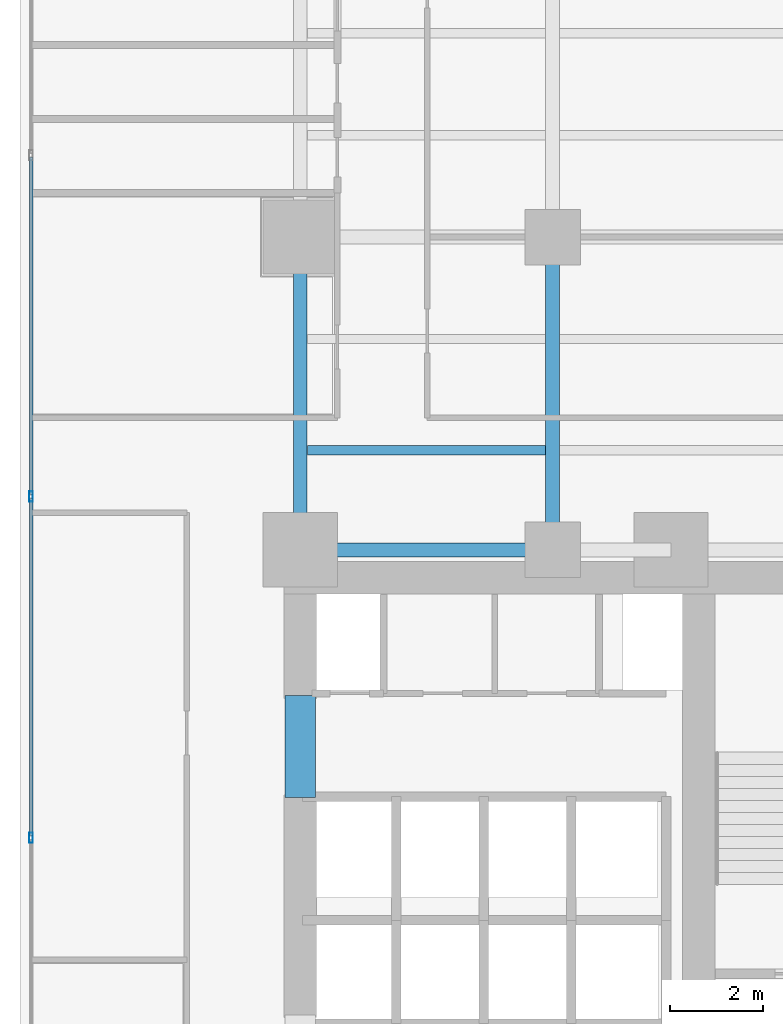
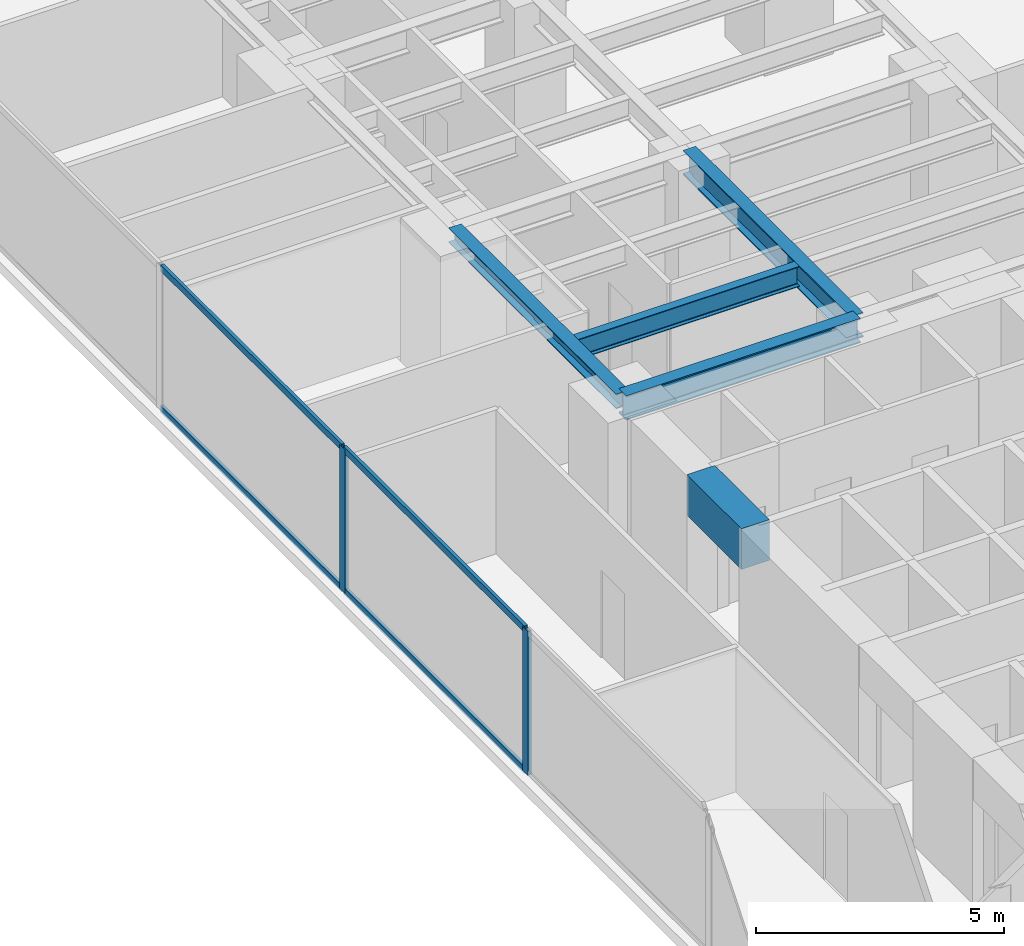
# One storey, part 6 of 31: 6 members, 5 beams, 1 element without a shape of its own.
"""IFC4 building model written with IfcOpenShell, lengths in metres."""

import ifcopenshell
import ifcopenshell.guid

model = None  # the IFC model being written
_history = None  # IfcOwnerHistory: only IFC2X3 demands one
_inside = {}  # id of a spatial element -> (the spatial element, [elements in it])
_under = {}  # id of a project, library or spatial element -> (it, [spatial elements below it])
_declared = {}  # id of a project -> (the project, [libraries it declares])
_typed = {}  # id of a type object -> (the type object, [elements of that type])
_made_of = {}  # id of a material, layer set ... -> (it, [elements and type objects made of it])


def new_model(schema):
    """Start an empty IFC model of exactly this schema.

    Asked for "IFC4X3", IfcOpenShell would pick the latest addendum, in which some entities
    have other attributes; the version numbers below select the first issue.
    IFC2X3 requires an IfcOwnerHistory on every rooted entity: one is made here for all.
    """
    global model, _history
    if schema == "IFC4X3":
        model = ifcopenshell.file(schema_version=(4, 3, 0, 0))
    else:
        model = ifcopenshell.file(schema=schema)
    _inside.clear()
    _under.clear()
    _declared.clear()
    _typed.clear()
    _made_of.clear()
    _history = None
    if model.schema == "IFC2X3":
        org = make("IfcOrganization", Name="unknown")
        user = make(
            "IfcPersonAndOrganization",
            ThePerson=make("IfcPerson", FamilyName="unknown"),
            TheOrganization=org,
        )
        app = make(
            "IfcApplication",
            ApplicationDeveloper=org,
            Version="unknown",
            ApplicationFullName="unknown",
            ApplicationIdentifier="unknown",
        )
        _history = make(
            "IfcOwnerHistory",
            OwningUser=user,
            OwningApplication=app,
            ChangeAction="ADDED",
            CreationDate=0,
        )
    return model


def make(cls, **values):
    """One entity of the class cls with the attributes given. An attribute that is None is left unset."""
    return model.create_entity(
        cls, **{name: value for name, value in values.items() if value is not None}
    )


def rooted(cls, **values):
    """An entity with a GlobalId (a new one), such as an element, a storey or a relation."""
    return make(cls, GlobalId=ifcopenshell.guid.new(), OwnerHistory=_history, **values)


def si_unit(unit_type, name, prefix=None):
    """IfcSIUnit, for example si_unit("LENGTHUNIT", "METRE", prefix="MILLI")."""
    return make("IfcSIUnit", UnitType=unit_type, Prefix=prefix, Name=name)


def assignment(units):
    """IfcUnitAssignment: the units of a project."""
    return None if units is None else make("IfcUnitAssignment", Units=units)


def point(xyz):
    """IfcCartesianPoint."""
    return None if xyz is None else make("IfcCartesianPoint", Coordinates=xyz)


def direction(xyz):
    """IfcDirection."""
    return None if xyz is None else make("IfcDirection", DirectionRatios=xyz)


def frame(location, z_axis=None, x_axis=None):
    """IfcAxis2Placement3D, a coordinate frame: its origin and axes. An axis left out is left unset."""
    return make(
        "IfcAxis2Placement3D",
        Location=point(location),
        Axis=direction(z_axis),
        RefDirection=direction(x_axis),
    )


def frame_2d(location, x_axis=None):
    """IfcAxis2Placement2D, a coordinate frame in the plane: its origin and x axis."""
    return make(
        "IfcAxis2Placement2D", Location=point(location), RefDirection=direction(x_axis)
    )


def origin():
    """The frame at (0, 0, 0) with its axes left unset."""
    return frame((0.0, 0.0, 0.0))


def origin_with_axes():
    """The frame at (0, 0, 0) with the z axis (0, 0, 1) and the x axis (1, 0, 0) written out."""
    return frame((0.0, 0.0, 0.0), z_axis=(0.0, 0.0, 1.0), x_axis=(1.0, 0.0, 0.0))


def origin_2d():
    """The frame at (0, 0) in the plane with its x axis left unset."""
    return frame_2d((0.0, 0.0))


def place(relative_to, where):
    """IfcLocalPlacement: puts the frame where relative to a parent placement (None: the world)."""
    return make(
        "IfcLocalPlacement", PlacementRelTo=relative_to, RelativePlacement=where
    )


def context(
    kind, dimensions, precision=None, world=None, true_north=None, identifier=None
):
    """IfcGeometricRepresentationContext, for example the 3D "Model" context."""
    return make(
        "IfcGeometricRepresentationContext",
        ContextIdentifier=identifier,
        ContextType=kind,
        CoordinateSpaceDimension=dimensions,
        Precision=precision,
        WorldCoordinateSystem=world,
        TrueNorth=true_north,
    )


def subcontext(parent, identifier, kind, view, scale=None):
    """IfcGeometricRepresentationSubContext, for example "Body" below "Model"."""
    return make(
        "IfcGeometricRepresentationSubContext",
        ContextIdentifier=identifier,
        ContextType=kind,
        ParentContext=parent,
        TargetScale=scale,
        TargetView=view,
    )


def project(units=None, contexts=None):
    """IfcProject with its units and contexts."""
    return rooted(
        "IfcProject",
        Name="project",
        RepresentationContexts=contexts,
        UnitsInContext=assignment(units),
    )


def spatial(cls, under=None, at=None, **own):
    """A site, building, storey or space (cls), placed at a placement, below another one or the project."""
    s = rooted(cls, ObjectPlacement=at, **own)
    if under is not None:
        _under.setdefault(under.id(), (under, []))[1].append(s)
    return s


def profile(cls, at=None, kind="AREA", **sizes):
    """A parametric profile (cls). Its sizes go by their IFC names, for example OverallWidth=200.0."""
    return make(cls, ProfileType=kind, Position=at, **sizes)


def rectangle(**sizes):
    """IfcRectangleProfileDef."""
    return profile("IfcRectangleProfileDef", **sizes)


def hollow_rectangle(**sizes):
    """IfcRectangleHollowProfileDef."""
    return profile("IfcRectangleHollowProfileDef", **sizes)


def i_section(**sizes):
    """IfcIShapeProfileDef."""
    return profile("IfcIShapeProfileDef", **sizes)


def extrude(swept, where, along, depth):
    """IfcExtrudedAreaSolid: the profile swept, set in the frame where, extruded along a direction by depth."""
    return make(
        "IfcExtrudedAreaSolid",
        SweptArea=swept,
        Position=where,
        ExtrudedDirection=direction(along),
        Depth=depth,
    )


def shape(context_of_items, identifier, shape_type, items):
    """IfcShapeRepresentation: the items that make up one representation, for example the "Body"."""
    return make(
        "IfcShapeRepresentation",
        ContextOfItems=context_of_items,
        RepresentationIdentifier=identifier,
        RepresentationType=shape_type,
        Items=items,
    )


def source(mapping_origin, context_of_items, identifier, shape_type, items):
    """IfcRepresentationMap: a shape defined once, which mapped items show again and again."""
    return make(
        "IfcRepresentationMap",
        MappingOrigin=mapping_origin,
        MappedRepresentation=shape(context_of_items, identifier, shape_type, items),
    )


def transform(
    local_origin,
    x_axis=None,
    y_axis=None,
    z_axis=None,
    scale=None,
    scale2=None,
    scale3=None,
    uniform=True,
):
    """IfcCartesianTransformationOperator3D, or its non-uniform kind. x_axis, y_axis, z_axis: its Axis1, 2, 3."""
    if uniform:
        return make(
            "IfcCartesianTransformationOperator3D",
            Axis1=direction(x_axis),
            Axis2=direction(y_axis),
            LocalOrigin=point(local_origin),
            Scale=scale,
            Axis3=direction(z_axis),
        )
    return make(
        "IfcCartesianTransformationOperator3DnonUniform",
        Axis1=direction(x_axis),
        Axis2=direction(y_axis),
        LocalOrigin=point(local_origin),
        Scale=scale,
        Axis3=direction(z_axis),
        Scale2=scale2,
        Scale3=scale3,
    )


def mapped(mapping_source, mapping_target):
    """IfcMappedItem: shows the shape of a source again, moved by a transform."""
    return make(
        "IfcMappedItem", MappingSource=mapping_source, MappingTarget=mapping_target
    )


def material(Name=None, Category=None):
    """IfcMaterial."""
    return make("IfcMaterial", Name=Name, Category=Category)


def layer(
    of_material, thickness, ventilated=None, Name=None, Category=None, Priority=None
):
    """IfcMaterialLayer: one layer of a wall or slab, of a material (None: an air gap)."""
    return make(
        "IfcMaterialLayer",
        Material=of_material,
        LayerThickness=thickness,
        IsVentilated=ventilated,
        Name=Name,
        Category=Category,
        Priority=Priority,
    )


def layer_set(layers, Name=None):
    """IfcMaterialLayerSet."""
    return make("IfcMaterialLayerSet", MaterialLayers=layers, LayerSetName=Name)


def material_profile(
    of_material, cross_section, Name=None, Category=None, Priority=None
):
    """IfcMaterialProfile: a cross section and its material."""
    return make(
        "IfcMaterialProfile",
        Name=Name,
        Material=of_material,
        Profile=cross_section,
        Priority=Priority,
        Category=Category,
    )


def profile_set(profiles, Name=None, composite=None):
    """IfcMaterialProfileSet."""
    return make(
        "IfcMaterialProfileSet",
        Name=Name,
        MaterialProfiles=profiles,
        CompositeProfile=composite,
    )


def made_of(thing, what):
    """Note that an element or type object is made of a material, layer set ...; save() writes the relation."""
    if what is not None:
        _made_of.setdefault(what.id(), (what, []))[1].append(thing)
    return thing


def type_object(cls, material=None, **own):
    """A type object (cls), such as IfcWallType, which elements share."""
    return made_of(rooted(cls, **own), material)


def element(
    cls,
    number,
    at=None,
    inside=None,
    cuts=None,
    type_object=None,
    material=None,
    context=None,
    identifier="Body",
    shape_type=None,
    held_by="IfcProductDefinitionShape",
    body=None,
    shapes=None,
    **own,
):
    """One element of the class cls, such as IfcWall. Its Tag is "e" and its number.

    at: its placement. inside: the storey or other place that contains it. cuts: it is an
    opening in that element (IfcRelVoidsElement). A single representation is given by context,
    identifier, shape_type and body (its items); several are given by shapes. held_by: the class
    of the entity that holds the representations. save() writes the other relations.
    """
    e = rooted(cls, Tag="e%d" % number, ObjectPlacement=at, **own)
    if body is not None:
        shapes = [shape(context, identifier, shape_type, body)]
    if shapes is not None:
        e.Representation = make(held_by, Representations=shapes)
    if inside is not None:
        _inside.setdefault(inside.id(), (inside, []))[1].append(e)
    if cuts is not None:
        rooted(
            "IfcRelVoidsElement", RelatingBuildingElement=cuts, RelatedOpeningElement=e
        )
    if type_object is not None:
        _typed.setdefault(type_object.id(), (type_object, []))[1].append(e)
    return made_of(e, material)


def aggregate(whole, parts):
    """IfcRelAggregates: a whole, such as a stair, and the parts it consists of."""
    return rooted("IfcRelAggregates", RelatingObject=whole, RelatedObjects=parts)


def save(model, path):
    """Write the relations noted so far, then the file.

    IfcRelAggregates (storeys below a building ...), IfcRelContainedInSpatialStructure (elements
    in a storey), IfcRelDefinesByType, IfcRelAssociatesMaterial and IfcRelDeclares: one each for
    every whole, place, type object, material and project.
    """
    for whole, parts in _under.values():
        aggregate(whole, parts)
    for where, things in _inside.values():
        rooted(
            "IfcRelContainedInSpatialStructure",
            RelatedElements=things,
            RelatingStructure=where,
        )
    for kind, things in _typed.values():
        rooted("IfcRelDefinesByType", RelatedObjects=things, RelatingType=kind)
    for what, things in _made_of.values():
        rooted("IfcRelAssociatesMaterial", RelatedObjects=things, RelatingMaterial=what)
    for by, libraries in _declared.values():
        rooted("IfcRelDeclares", RelatingContext=by, RelatedDefinitions=libraries)
    model.write(path)


model = new_model("IFC4")

# Units and contexts
model_context = context("Model", 3, precision=1e-05, world=origin(), true_north=direction((0.0, 1.0)))
body_context = subcontext(model_context, "Body", "Model", "MODEL_VIEW")
ifc_project = project(units=[si_unit("LENGTHUNIT", "METRE"), si_unit("AREAUNIT", "SQUARE_METRE"), si_unit("VOLUMEUNIT", "CUBIC_METRE"), si_unit("PLANEANGLEUNIT", "RADIAN"), si_unit("MASSUNIT", "GRAM", prefix="KILO")], contexts=[model_context])

# Site, building, storey
site_placement = place(None, origin())
site = spatial("IfcSite", under=ifc_project, at=site_placement, CompositionType="ELEMENT")
building_placement = place(site_placement, origin())
building = spatial("IfcBuilding", under=site, at=building_placement, Name="Kolvaren Waterfront Exchange", CompositionType="ELEMENT")
storey_placement = place(building_placement, frame((0.0, 0.0, 67.60009765625)))
storey = spatial("IfcBuildingStorey", under=building, at=storey_placement, Name="L17", CompositionType="ELEMENT", Elevation=67.60009765625)

# Beams
ifc_material_1 = material(Name="Steel S355", Category="steel")
ifc_material_profile_1 = material_profile(ifc_material_1, i_section(OverallWidth=0.300048828125, OverallDepth=0.360107421875, WebThickness=0.012451171875, FlangeThickness=0.0224609375, FilletRadius=0.027099609375, at=origin_2d()), Name="HEB360")
ifc_profile_set_1 = profile_set([ifc_material_profile_1], Name="Steel S355")
beam_type_1 = type_object("IfcBeamType", Name="STR-BM-HEB360", PredefinedType="SPANDREL", material=ifc_profile_set_1)
beam_1_placement = place(storey_placement, frame((7.449951171875, 24.449951171875, 3.35986328125), z_axis=(0.0, 1.0, 0.0), x_axis=(-1.0, 0.0, 0.0)))
element("IfcBeam", 1, at=beam_1_placement, inside=storey, type_object=beam_type_1, Name="L17 north-arm edge beam 1", PredefinedType="SPANDREL", context=body_context, shape_type="SweptSolid", body=[
    extrude(i_section(OverallWidth=0.300048828125, OverallDepth=0.360107421875, WebThickness=0.012451171875, FlangeThickness=0.0224609375, FilletRadius=0.027099609375, at=origin_2d()), origin(), (0.0, 0.0, 1.0), 6.75),
])
ifc_material_profile_2 = material_profile(ifc_material_1, i_section(OverallWidth=0.300048828125, OverallDepth=0.60009765625, WebThickness=0.015380859375, FlangeThickness=0.030029296875, FilletRadius=0.027099609375, at=origin_2d()), Name="HEB600")
ifc_profile_set_2 = profile_set([ifc_material_profile_2], Name="Steel S355")
beam_type_2 = type_object("IfcBeamType", Name="STR-BM-HEB600", PredefinedType="BEAM", material=ifc_profile_set_2)
beam_2_placement = place(storey_placement, frame((7.449951171875, 24.449951171875, 3.239990234375), z_axis=(1.0, 0.0, 0.0), x_axis=(0.0, 1.0, 0.0)))
element("IfcBeam", 2, at=beam_2_placement, inside=storey, type_object=beam_type_2, Name="L17 north-arm girder 1A", PredefinedType="BEAM", context=body_context, shape_type="SweptSolid", body=[
    extrude(i_section(OverallWidth=0.300048828125, OverallDepth=0.60009765625, WebThickness=0.015380859375, FlangeThickness=0.030029296875, FilletRadius=0.027099609375, at=origin_2d()), origin(), (0.0, 0.0, 1.0), 5.449951171875),
])
beam_3_placement = place(storey_placement, frame((12.89990234375, 24.449951171875, 3.239990234375), z_axis=(0.0, 1.0, 0.0), x_axis=(-1.0, 0.0, 0.0)))
element("IfcBeam", 3, at=beam_3_placement, inside=storey, type_object=beam_type_2, Name="L17 north-arm edge beam 1", PredefinedType="BEAM", context=body_context, shape_type="SweptSolid", body=[
    extrude(i_section(OverallWidth=0.300048828125, OverallDepth=0.60009765625, WebThickness=0.015380859375, FlangeThickness=0.030029296875, FilletRadius=0.027099609375, at=origin_2d()), origin(), (0.0, 0.0, 1.0), 6.75),
])
ifc_material_profile_3 = material_profile(ifc_material_1, i_section(OverallWidth=0.199951171875, OverallDepth=0.5, WebThickness=0.01025390625, FlangeThickness=0.01611328125, FilletRadius=0.02099609375, at=origin_2d()), Name="IPE500")
ifc_profile_set_3 = profile_set([ifc_material_profile_3], Name="Steel S355")
beam_type_3 = type_object("IfcBeamType", Name="STR-BM-IPE500", PredefinedType="JOIST", material=ifc_profile_set_3)
beam_4_placement = place(storey_placement, frame((7.60205078125, 26.60009765625, 3.289794921875), z_axis=(1.0, 0.0, 0.0), x_axis=(0.0, 1.0, 0.0)))
element("IfcBeam", 4, at=beam_4_placement, inside=storey, type_object=beam_type_3, Name="L17 north-arm composite joist 1A", PredefinedType="JOIST", context=body_context, shape_type="SweptSolid", body=[
    extrude(i_section(OverallWidth=0.199951171875, OverallDepth=0.5, WebThickness=0.01025390625, FlangeThickness=0.01611328125, FilletRadius=0.02099609375, at=origin_2d()), origin(), (0.0, 0.0, 1.0), 5.14599609375),
])
ifc_material_2 = material(Name="Concrete C60/75", Category="concrete")
ifc_material_profile_4 = material_profile(ifc_material_2, rectangle(XDim=0.64990234375, YDim=1.0, at=origin_2d()), Name="RC-CB-1000x650")
ifc_profile_set_4 = profile_set([ifc_material_profile_4], Name="Concrete C60/75")
beam_type_4 = type_object("IfcBeamType", Name="STR-CB-1000", PredefinedType="SPANDREL", material=ifc_profile_set_4)
beam_5_placement = place(storey_placement, frame((7.449951171875, 19.10009765625, 3.039794921875), z_axis=(0.0, 1.0, 0.0), x_axis=(-1.0, 0.0, 0.0)))
element("IfcBeam", 5, at=beam_5_placement, inside=storey, type_object=beam_type_4, Name="L17 core coupling beam 5", PredefinedType="SPANDREL", context=body_context, shape_type="SweptSolid", body=[
    extrude(rectangle(XDim=0.64990234375, YDim=1.0, at=origin_2d()), origin(), (0.0, 0.0, 1.0), 2.199951171875),
])

# Curtain wall, members
ifc_material_3 = material(Name="Anodised aluminium 6063-T6", Category="aluminium")
ifc_layer = layer(ifc_material_3, 0.219970703125, Name="Anodised aluminium 6063-T6")
ifc_layer_set = layer_set([ifc_layer], Name="Anodised aluminium 6063-T6")
curtain_wall_type = type_object("IfcCurtainWallType", Name="ARC-CW-SYS2", PredefinedType="USERDEFINED", material=ifc_layer_set)
curtain_wall_placement = place(storey_placement, origin())
curtain_wall = element("IfcCurtainWall", 6, at=curtain_wall_placement, inside=storey, type_object=curtain_wall_type, Name="L17 stick curtain wall CW2 (CW-L17-W)", ObjectType="STICK CURTAIN WALL", PredefinedType="USERDEFINED")
ifc_material_profile_5 = material_profile(ifc_material_3, hollow_rectangle(XDim=0.080078125, YDim=0.219970703125, WallThickness=0.0048828125, at=origin_2d()), Name="ALU-MUL-220x80x5")
ifc_profile_set_5 = profile_set([ifc_material_profile_5], Name="Anodised aluminium 6063-T6")
member_type_1 = type_object("IfcMemberType", Name="ARC-CWM-220", PredefinedType="MULLION", material=ifc_profile_set_5)
shared_shape_1 = source(origin_with_axes(), body_context, "Body", "SweptSolid", [
    extrude(hollow_rectangle(XDim=0.080078125, YDim=0.219970703125, WallThickness=0.0048828125, at=origin_2d()), origin(), (0.0, 0.0, 1.0), 3.539794921875),
])
member_1_placement = place(storey_placement, frame((1.639892578125, 18.2333984375, 0.0), z_axis=(0.0, 0.0, 1.0), x_axis=(-1.0, 0.0, 0.0)))
member_1 = element("IfcMember", 7, at=member_1_placement, type_object=member_type_1, Name="CW2 mullion 3", PredefinedType="MULLION", context=body_context, shape_type="MappedRepresentation", body=[
    mapped(shared_shape_1, transform((0.0, 0.0, 0.0), x_axis=(1.0, 0.0, 0.0), y_axis=(0.0, 1.0, 0.0), z_axis=(0.0, 0.0, 1.0), scale=1.0)),
])
member_2_placement = place(storey_placement, frame((1.639892578125, 25.60009765625, 0.0), z_axis=(0.0, 0.0, 1.0), x_axis=(-1.0, 0.0, 0.0)))
member_2 = element("IfcMember", 8, at=member_2_placement, type_object=member_type_1, Name="CW2 mullion 4", PredefinedType="MULLION", context=body_context, shape_type="MappedRepresentation", body=[
    mapped(shared_shape_1, transform((0.0, 0.0, 0.0), x_axis=(1.0, 0.0, 0.0), y_axis=(0.0, 1.0, 0.0), z_axis=(0.0, 0.0, 1.0), scale=1.0)),
])
ifc_material_profile_6 = material_profile(ifc_material_3, hollow_rectangle(XDim=0.074951171875, YDim=0.159912109375, WallThickness=0.00439453125, at=origin_2d()), Name="ALU-TRN-160x75x4.5")
ifc_profile_set_6 = profile_set([ifc_material_profile_6], Name="Anodised aluminium 6063-T6")
member_type_2 = type_object("IfcMemberType", Name="ARC-CWT-160", PredefinedType="USERDEFINED", material=ifc_profile_set_6)
shared_shape_2 = source(origin_with_axes(), body_context, "Body", "SweptSolid", [
    extrude(hollow_rectangle(XDim=0.074951171875, YDim=0.159912109375, WallThickness=0.00439453125, at=origin_2d()), origin(), (0.0, 0.0, 1.0), 7.28662109375),
])
member_3_placement = place(storey_placement, frame((1.639892578125, 18.2734375, 0.037353515625), z_axis=(0.0, 1.0, 0.0), x_axis=(-1.0, 0.0, 0.0)))
member_3 = element("IfcMember", 9, at=member_3_placement, type_object=member_type_2, Name="CW2 transom 3.1", ObjectType="TRANSOM", PredefinedType="USERDEFINED", context=body_context, shape_type="MappedRepresentation", body=[
    mapped(shared_shape_2, transform((0.0, 0.0, 0.0), x_axis=(1.0, 0.0, 0.0), y_axis=(0.0, 1.0, 0.0), z_axis=(0.0, 0.0, 1.0), scale=1.0)),
])
member_4_placement = place(storey_placement, frame((1.639892578125, 18.2734375, 3.50244140625), z_axis=(0.0, 1.0, 0.0), x_axis=(-1.0, 0.0, 0.0)))
member_4 = element("IfcMember", 10, at=member_4_placement, type_object=member_type_2, Name="CW2 transom 3.2", ObjectType="TRANSOM", PredefinedType="USERDEFINED", context=body_context, shape_type="MappedRepresentation", body=[
    mapped(shared_shape_2, transform((0.0, 0.0, 0.0), x_axis=(1.0, 0.0, 0.0), y_axis=(0.0, 1.0, 0.0), z_axis=(0.0, 0.0, 1.0), scale=1.0)),
])
shared_shape_3 = source(origin_with_axes(), body_context, "Body", "SweptSolid", [
    extrude(hollow_rectangle(XDim=0.074951171875, YDim=0.159912109375, WallThickness=0.00439453125, at=origin_2d()), origin(), (0.0, 0.0, 1.0), 7.286865234375),
])
member_5_placement = place(storey_placement, frame((1.639892578125, 25.639892578125, 0.037353515625), z_axis=(0.0, 1.0, 0.0), x_axis=(-1.0, 0.0, 0.0)))
member_5 = element("IfcMember", 11, at=member_5_placement, type_object=member_type_2, Name="CW2 transom 4.1", ObjectType="TRANSOM", PredefinedType="USERDEFINED", context=body_context, shape_type="MappedRepresentation", body=[
    mapped(shared_shape_3, transform((0.0, 0.0, 0.0), x_axis=(1.0, 0.0, 0.0), y_axis=(0.0, 1.0, 0.0), z_axis=(0.0, 0.0, 1.0), scale=1.0)),
])
member_6_placement = place(storey_placement, frame((1.639892578125, 25.639892578125, 3.50244140625), z_axis=(0.0, 1.0, 0.0), x_axis=(-1.0, 0.0, 0.0)))
member_6 = element("IfcMember", 12, at=member_6_placement, type_object=member_type_2, Name="CW2 transom 4.2", ObjectType="TRANSOM", PredefinedType="USERDEFINED", context=body_context, shape_type="MappedRepresentation", body=[
    mapped(shared_shape_3, transform((0.0, 0.0, 0.0), x_axis=(1.0, 0.0, 0.0), y_axis=(0.0, 1.0, 0.0), z_axis=(0.0, 0.0, 1.0), scale=1.0)),
])
aggregate(curtain_wall, [member_1, member_2, member_3, member_4, member_5, member_6])

save(model, "model.ifc")
